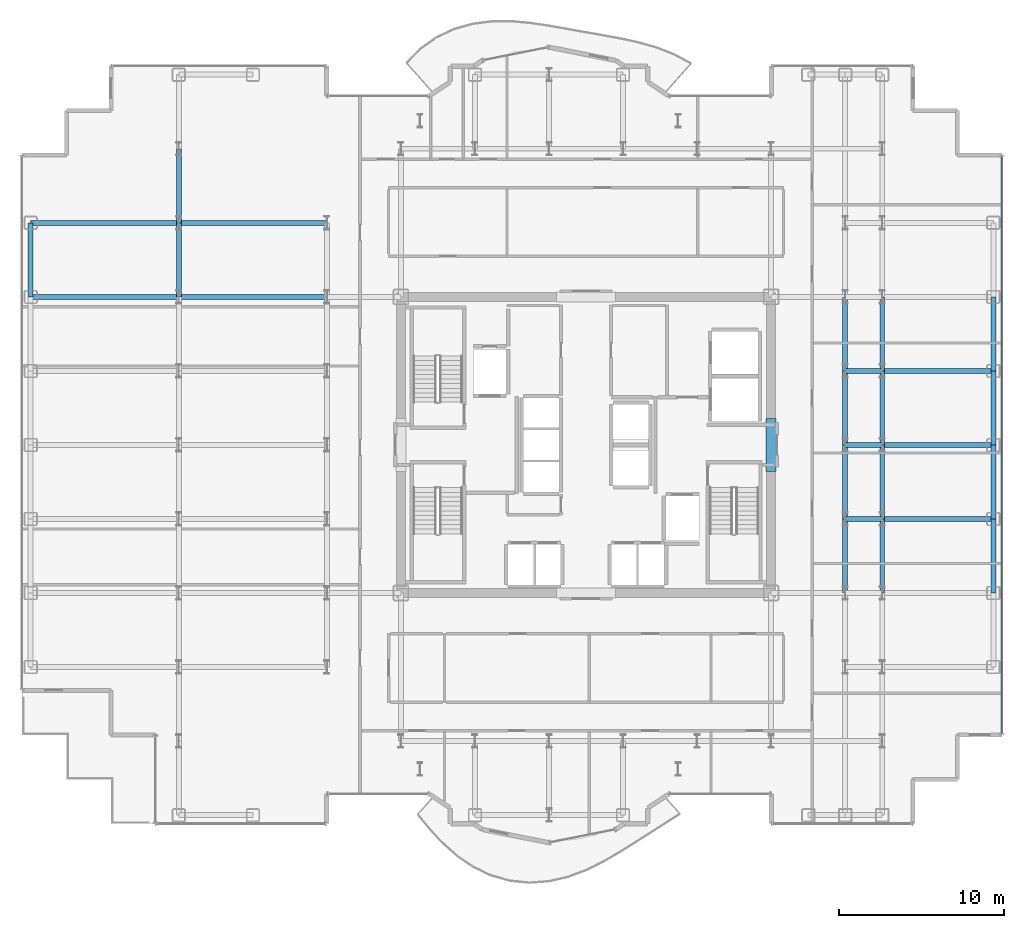
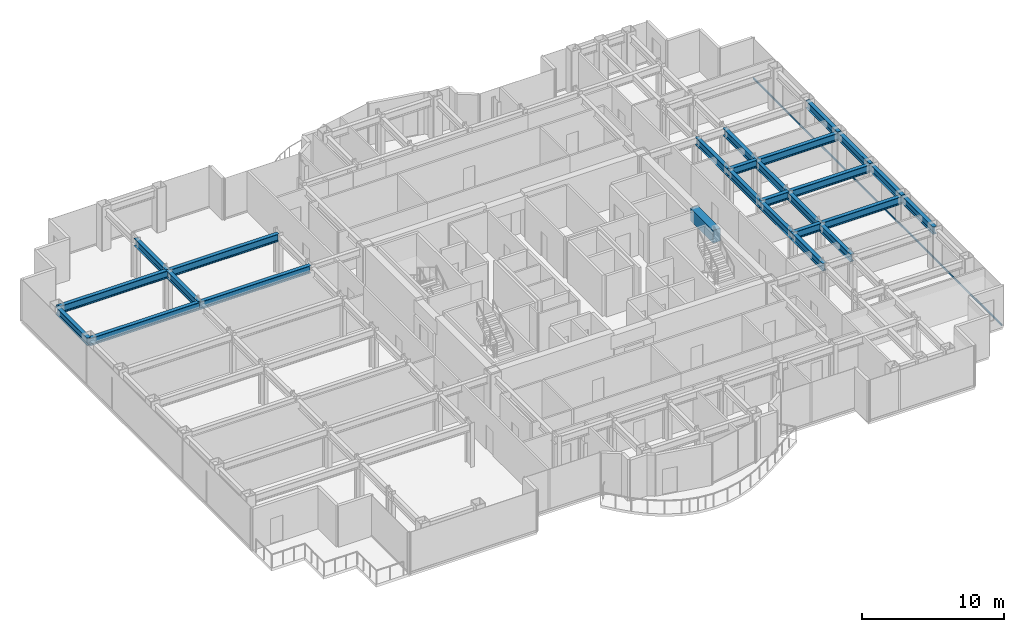
# One storey, part 9 of 23: 26 beams, 1 member, 1 element without a shape of its own.
"""IFC4 building model written with IfcOpenShell, lengths in metres."""

from ifc_helpers import new_model, si_unit, direction, frame, origin, origin_2d, place, context, subcontext, project, spatial, rectangle, hollow_rectangle, i_section, extrude, source, transform, mapped, material, layer, layer_set, material_profile, profile_set, type_object, element, aggregate, save


model = new_model("IFC4")

# Units and contexts
model_context = context("Model", 3, precision=1e-05, world=origin(), true_north=direction((0.0, 1.0)))
body_context = subcontext(model_context, "Body", "Model", "MODEL_VIEW")
ifc_project = project(units=[si_unit("LENGTHUNIT", "METRE"), si_unit("AREAUNIT", "SQUARE_METRE"), si_unit("VOLUMEUNIT", "CUBIC_METRE"), si_unit("PLANEANGLEUNIT", "RADIAN"), si_unit("MASSUNIT", "GRAM", prefix="KILO")], contexts=[model_context])

# Site, building, storey
site_placement = place(None, origin())
site = spatial("IfcSite", under=ifc_project, at=site_placement, CompositionType="ELEMENT")
building_placement = place(site_placement, origin())
building = spatial("IfcBuilding", under=site, at=building_placement, Name="Nefas-Gora Pilgrimage Tower", CompositionType="ELEMENT")
storey_placement = place(building_placement, frame((0.0, 0.0, 164.0)))
storey = spatial("IfcBuildingStorey", under=building, at=storey_placement, Name="L40", CompositionType="ELEMENT", Elevation=164.0)

# Beams
ifc_material_1 = material(Name="Concrete C60/75", Category="concrete")
ifc_material_profile_1 = material_profile(ifc_material_1, rectangle(XDim=0.60009765625, YDim=1.10009765625, at=origin_2d()), Name="RC 600x1100")
ifc_profile_set_1 = profile_set([ifc_material_profile_1], Name="Concrete C60/75")
beam_type_1 = type_object("IfcBeamType", Name="BM-LIN-RC1100", PredefinedType="LINTEL", material=ifc_profile_set_1)
shared_shape_1 = source(origin(), body_context, "Body", "SweptSolid", [
    extrude(rectangle(XDim=0.60009765625, YDim=1.10009765625, at=origin_2d()), origin(), (0.0, 0.0, 1.0), 3.2001953125),
])
beam_placement = place(storey_placement, frame((11.25, -1.60009765625, 3.0), z_axis=(0.0, 1.0, 0.0), x_axis=(-1.0, 0.0, 0.0)))
element("IfcBeam", 1, at=beam_placement, inside=storey, type_object=beam_type_1, Name="L40 Core Coupling Lintel Beam E", PredefinedType="LINTEL", context=body_context, shape_type="MappedRepresentation", body=[
    mapped(shared_shape_1, transform((0.0, 0.0, 0.0), x_axis=(1.0, 0.0, 0.0), y_axis=(0.0, 1.0, 0.0), z_axis=(0.0, 0.0, 1.0), scale=1.0)),
])
ifc_material_2 = material(Name="Steel S355", Category="steel")
ifc_material_profile_2 = material_profile(ifc_material_2, i_section(OverallWidth=0.300048828125, OverallDepth=0.64990234375, WebThickness=0.01611328125, FlangeThickness=0.031005859375, FilletRadius=0.027099609375, at=origin_2d()), Name="HEB 650")
ifc_profile_set_2 = profile_set([ifc_material_profile_2], Name="Steel S355")
beam_type_2 = type_object("IfcBeamType", Name="BM-SPN-HEB500", PredefinedType="SPANDREL", material=ifc_profile_set_2)
shared_shape_2 = source(origin(), body_context, "Body", "SweptSolid", [
    extrude(i_section(OverallWidth=0.300048828125, OverallDepth=0.64990234375, WebThickness=0.01611328125, FlangeThickness=0.031005859375, FilletRadius=0.027099609375, at=origin_2d()), origin(), (0.0, 0.0, 1.0), 4.5),
])
for number, where, z_axis, x_axis, name in (
    (2, (-33.75, 9.0, 3.22509765625), (0.0, 1.0, 0.0), (-1.0, 0.0, 0.0), "L40 SP-02 beam"),
    (3, (24.75, -9.0, 3.22509765625), (0.0, 1.0, 0.0), (-1.0, 0.0, 0.0), "L40 SP-02 beam"),
    (4, (24.75, -4.5, 3.22509765625), (0.0, 1.0, 0.0), (-1.0, 0.0, 0.0), "L40 SP-02 beam"),
    (5, (24.75, 0.0, 3.22509765625), (0.0, 1.0, 0.0), (-1.0, 0.0, 0.0), "L40 SP-02 beam"),
    (6, (24.75, 4.5, 3.22509765625), (0.0, 1.0, 0.0), (-1.0, 0.0, 0.0), "L40 SP-02 beam"),
):
    element("IfcBeam", number, at=place(storey_placement, frame(where, z_axis=z_axis, x_axis=x_axis)), inside=storey, type_object=beam_type_2, Name=name, PredefinedType="SPANDREL", context=body_context, shape_type="MappedRepresentation", body=[
        mapped(shared_shape_2, transform((0.0, 0.0, 0.0), x_axis=(1.0, 0.0, 0.0), y_axis=(0.0, 1.0, 0.0), z_axis=(0.0, 0.0, 1.0), scale=1.0)),
    ])
ifc_material_profile_3 = material_profile(ifc_material_2, i_section(OverallWidth=0.300048828125, OverallDepth=0.64990234375, WebThickness=0.01611328125, FlangeThickness=0.031005859375, FilletRadius=0.027099609375, at=origin_2d()), Name="HEB 650")
ifc_profile_set_3 = profile_set([ifc_material_profile_3], Name="Steel S355")
beam_type_3 = type_object("IfcBeamType", Name="BM-GIR-HEB650", PredefinedType="BEAM", material=ifc_profile_set_3)
shared_shape_3 = source(origin(), body_context, "Body", "SweptSolid", [
    extrude(i_section(OverallWidth=0.300048828125, OverallDepth=0.64990234375, WebThickness=0.01611328125, FlangeThickness=0.031005859375, FilletRadius=0.027099609375, at=origin_2d()), origin(), (0.0, 0.0, 1.0), 9.0),
])
for number, where, z_axis, x_axis, name in (
    (7, (-33.75, 9.0, 3.22509765625), (1.0, 0.0, 0.0), (0.0, 1.0, 0.0), "L40 G-03 beam"),
    (8, (-33.75, 13.5, 3.22509765625), (1.0, 0.0, 0.0), (0.0, 1.0, 0.0), "L40 G-03 beam"),
    (9, (-24.75, 9.0, 3.22509765625), (1.0, 0.0, 0.0), (0.0, 1.0, 0.0), "L40 G-03 beam"),
    (10, (-24.75, 13.5, 3.22509765625), (1.0, 0.0, 0.0), (0.0, 1.0, 0.0), "L40 G-03 beam"),
):
    element("IfcBeam", number, at=place(storey_placement, frame(where, z_axis=z_axis, x_axis=x_axis)), inside=storey, type_object=beam_type_3, Name=name, PredefinedType="BEAM", context=body_context, shape_type="MappedRepresentation", body=[
        mapped(shared_shape_3, transform((0.0, 0.0, 0.0), x_axis=(1.0, 0.0, 0.0), y_axis=(0.0, 1.0, 0.0), z_axis=(0.0, 0.0, 1.0), scale=1.0)),
    ])
shared_shape_4 = source(origin(), body_context, "Body", "SweptSolid", [
    extrude(i_section(OverallWidth=0.300048828125, OverallDepth=0.64990234375, WebThickness=0.01611328125, FlangeThickness=0.031005859375, FilletRadius=0.027099609375, at=origin_2d()), origin(), (0.0, 0.0, 1.0), 4.5),
])
for number, where, z_axis, x_axis, name in (
    (11, (-24.75, 9.0, 3.22509765625), (0.0, 1.0, 0.0), (-1.0, 0.0, 0.0), "L40 G-03 beam"),
    (12, (-24.75, 13.5, 3.22509765625), (0.0, 1.0, 0.0), (-1.0, 0.0, 0.0), "L40 G-03 beam"),
    (13, (15.75, -9.0, 3.22509765625), (0.0, 1.0, 0.0), (-1.0, 0.0, 0.0), "L40 G-03 beam"),
    (14, (15.75, -4.5, 3.22509765625), (0.0, 1.0, 0.0), (-1.0, 0.0, 0.0), "L40 G-03 beam"),
    (15, (15.75, 0.0, 3.22509765625), (0.0, 1.0, 0.0), (-1.0, 0.0, 0.0), "L40 G-03 beam"),
    (16, (15.75, 4.5, 3.22509765625), (0.0, 1.0, 0.0), (-1.0, 0.0, 0.0), "L40 G-03 beam"),
    (17, (18.0, -9.0, 3.22509765625), (0.0, 1.0, 0.0), (-1.0, 0.0, 0.0), "L40 G-03 beam"),
    (18, (18.0, -4.5, 3.22509765625), (0.0, 1.0, 0.0), (-1.0, 0.0, 0.0), "L40 G-03 beam"),
    (19, (18.0, 0.0, 3.22509765625), (0.0, 1.0, 0.0), (-1.0, 0.0, 0.0), "L40 G-03 beam"),
    (20, (18.0, 4.5, 3.22509765625), (0.0, 1.0, 0.0), (-1.0, 0.0, 0.0), "L40 G-03 beam"),
):
    element("IfcBeam", number, at=place(storey_placement, frame(where, z_axis=z_axis, x_axis=x_axis)), inside=storey, type_object=beam_type_3, Name=name, PredefinedType="BEAM", context=body_context, shape_type="MappedRepresentation", body=[
        mapped(shared_shape_4, transform((0.0, 0.0, 0.0), x_axis=(1.0, 0.0, 0.0), y_axis=(0.0, 1.0, 0.0), z_axis=(0.0, 0.0, 1.0), scale=1.0)),
    ])
shared_shape_5 = source(origin(), body_context, "Body", "SweptSolid", [
    extrude(i_section(OverallWidth=0.300048828125, OverallDepth=0.64990234375, WebThickness=0.01611328125, FlangeThickness=0.031005859375, FilletRadius=0.027099609375, at=origin_2d()), origin(), (0.0, 0.0, 1.0), 6.75),
])
for number, where, z_axis, x_axis, name in (
    (21, (18.0, -4.5, 3.22509765625), (1.0, 0.0, 0.0), (0.0, 1.0, 0.0), "L40 G-03 beam"),
    (22, (18.0, 0.0, 3.22509765625), (1.0, 0.0, 0.0), (0.0, 1.0, 0.0), "L40 G-03 beam"),
    (23, (18.0, 4.5, 3.22509765625), (1.0, 0.0, 0.0), (0.0, 1.0, 0.0), "L40 G-03 beam"),
):
    element("IfcBeam", number, at=place(storey_placement, frame(where, z_axis=z_axis, x_axis=x_axis)), inside=storey, type_object=beam_type_3, Name=name, PredefinedType="BEAM", context=body_context, shape_type="MappedRepresentation", body=[
        mapped(shared_shape_5, transform((0.0, 0.0, 0.0), x_axis=(1.0, 0.0, 0.0), y_axis=(0.0, 1.0, 0.0), z_axis=(0.0, 0.0, 1.0), scale=1.0)),
    ])
shared_shape_6 = source(origin(), body_context, "Body", "SweptSolid", [
    extrude(i_section(OverallWidth=0.300048828125, OverallDepth=0.64990234375, WebThickness=0.01611328125, FlangeThickness=0.031005859375, FilletRadius=0.027099609375, at=origin_2d()), origin(), (0.0, 0.0, 1.0), 2.25),
])
for number, where, z_axis, x_axis, name in (
    (24, (15.75, -4.5, 3.22509765625), (1.0, 0.0, 0.0), (0.0, 1.0, 0.0), "L40 G-03 beam"),
    (25, (15.75, 0.0, 3.22509765625), (1.0, 0.0, 0.0), (0.0, 1.0, 0.0), "L40 G-03 beam"),
    (26, (15.75, 4.5, 3.22509765625), (1.0, 0.0, 0.0), (0.0, 1.0, 0.0), "L40 G-03 beam"),
):
    element("IfcBeam", number, at=place(storey_placement, frame(where, z_axis=z_axis, x_axis=x_axis)), inside=storey, type_object=beam_type_3, Name=name, PredefinedType="BEAM", context=body_context, shape_type="MappedRepresentation", body=[
        mapped(shared_shape_6, transform((0.0, 0.0, 0.0), x_axis=(1.0, 0.0, 0.0), y_axis=(0.0, 1.0, 0.0), z_axis=(0.0, 0.0, 1.0), scale=1.0)),
    ])

# Curtain wall, member
ifc_material_3 = material(Name="Dark ceramic-fritted solar-control aluminium-glass curtain wall", Category="aluminium")
ifc_layer = layer(ifc_material_3, 0.219970703125)
ifc_layer_set = layer_set([ifc_layer], Name="Dark ceramic-fritted solar-control aluminium-glass curtain wall")
curtain_wall_type = type_object("IfcCurtainWallType", Name="CW-SYS-3", PredefinedType="NOTDEFINED", material=ifc_layer_set)
curtain_wall_placement = place(storey_placement, origin())
curtain_wall = element("IfcCurtainWall", 27, at=curtain_wall_placement, inside=storey, type_object=curtain_wall_type, Name="L40 Unitised Curtain Wall CW3", PredefinedType="NOTDEFINED")
ifc_material_4 = material(Name="Anodised architectural aluminium", Category="aluminium")
ifc_material_profile_4 = material_profile(ifc_material_4, hollow_rectangle(XDim=0.080078125, YDim=0.159912109375, WallThickness=0.00439453125, InnerFilletRadius=0.00439453125, OuterFilletRadius=0.009033203125, at=origin_2d()), Name="ALU TRANSOM 80x160")
ifc_profile_set_4 = profile_set([ifc_material_profile_4], Name="Anodised architectural aluminium")
member_type = type_object("IfcMemberType", Name="CWM-TRN-3", PredefinedType="USERDEFINED", material=ifc_profile_set_4)
shared_shape_7 = source(origin(), body_context, "Body", "SweptSolid", [
    extrude(hollow_rectangle(XDim=0.080078125, YDim=0.159912109375, WallThickness=0.00439453125, InnerFilletRadius=0.00439453125, OuterFilletRadius=0.009033203125, at=origin_2d()), origin(), (0.0, 0.0, 1.0), 35.06005859375),
])
member_placement = place(storey_placement, frame((25.27001953125, -17.530029296875, 0.050048828125), z_axis=(0.0, 1.0, 0.0), x_axis=(-1.0, 0.0, 0.0)))
member = element("IfcMember", 28, at=member_placement, type_object=member_type, Name="CW3 Spandrel Transom", ObjectType="TRANSOM", PredefinedType="USERDEFINED", context=body_context, shape_type="MappedRepresentation", body=[
    mapped(shared_shape_7, transform((0.0, 0.0, 0.0), x_axis=(1.0, 0.0, 0.0), y_axis=(0.0, 1.0, 0.0), z_axis=(0.0, 0.0, 1.0), scale=1.0)),
])
aggregate(curtain_wall, [member])

save(model, "model.ifc")
